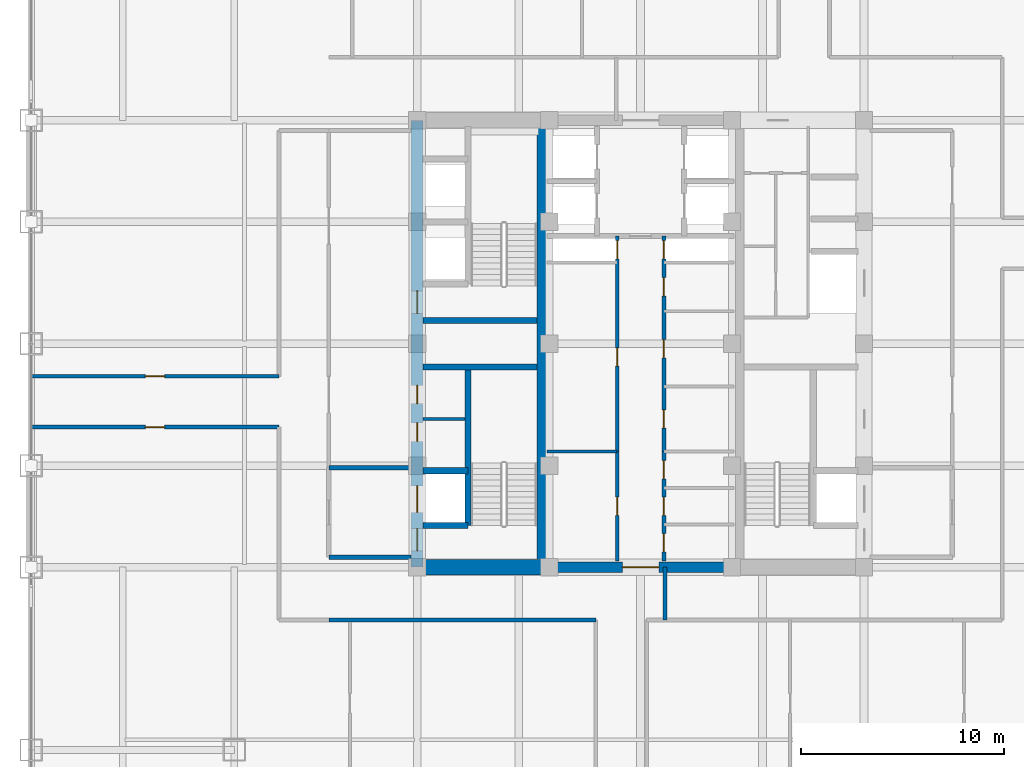
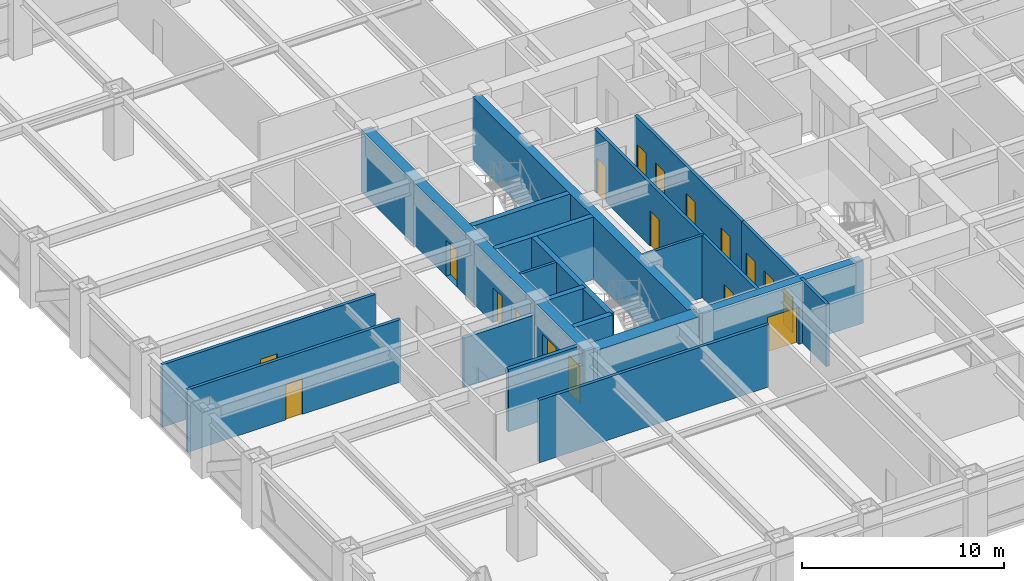
# One storey, part 20 of 28: 21 walls, 18 doors, 18 openings.
"""IFC4 building model written with IfcOpenShell, lengths in metres."""

from ifc_helpers import new_model, si_unit, direction, frame, frame_2d, origin, place, context, subcontext, project, spatial, rectangle, extrude, source, transform, mapped, material, layer, layer_set, type_object, element, fill, save


model = new_model("IFC4")

# Units and contexts
model_context = context("Model", 3, precision=1e-05, world=origin(), true_north=direction((0.0, 1.0)))
body_context = subcontext(model_context, "Body", "Model", "MODEL_VIEW")
ifc_project = project(units=[si_unit("LENGTHUNIT", "METRE"), si_unit("AREAUNIT", "SQUARE_METRE"), si_unit("VOLUMEUNIT", "CUBIC_METRE"), si_unit("PLANEANGLEUNIT", "RADIAN"), si_unit("MASSUNIT", "GRAM", prefix="KILO")], contexts=[model_context])

# Site, building, storey
site_placement = place(None, origin())
site = spatial("IfcSite", under=ifc_project, at=site_placement, CompositionType="ELEMENT")
building_placement = place(site_placement, origin())
building = spatial("IfcBuilding", under=site, at=building_placement, Name="Khorayat Bourse Tower", CompositionType="ELEMENT")
storey_placement = place(building_placement, frame((0.0, 0.0, 187.10009765625)))
storey = spatial("IfcBuildingStorey", under=building, at=storey_placement, Name="L43", CompositionType="ELEMENT", Elevation=187.10009765625)

# Wall, openings, doors
ifc_material_1 = material(Name="Concrete C60/75", Category="concrete")
ifc_layer_1 = layer(ifc_material_1, 0.60009765625)
ifc_layer_set_1 = layer_set([ifc_layer_1], Name="Concrete C60/75")
wall_type_1 = type_object("IfcWallType", Name="WAL-CORE-600", PredefinedType="SHEAR", material=ifc_layer_set_1)
shared_shape_1 = source(origin(), body_context, "Body", "SweptSolid", [
    extrude(rectangle(XDim=22.0, YDim=0.60009765625, at=frame_2d((11.0, 0.0))), origin(), (0.0, 0.0, 1.0), 3.77978515625),
])
wall_1_placement = place(storey_placement, frame((-11.0, -11.0, 0.0), z_axis=(0.0, 0.0, 1.0), x_axis=(0.0, 1.0, 0.0)))
wall_1 = element("IfcWall", 1, at=wall_1_placement, inside=storey, type_object=wall_type_1, Name="L43 Core Shear Wall CORE-W", PredefinedType="SHEAR", context=body_context, shape_type="MappedRepresentation", body=[
    mapped(shared_shape_1, transform((0.0, 0.0, 0.0), scale=1.0)),
])
shared_shape_2 = source(origin(), body_context, "Body", "SweptSolid", [
    extrude(rectangle(XDim=1.10009765625, YDim=2.199951171875, at=frame_2d((0.550048828125, 1.10009765625))), frame((0.0, 0.31005859375, 0.0), z_axis=(0.0, -1.0, 0.0), x_axis=(1.0, 0.0, 0.0)), (0.0, 0.0, 1.0), 0.6201171875),
])
opening_1_placement = place(wall_1_placement, frame((0.800048828125, 0.0, 0.0)))
opening_1 = element("IfcOpeningElement", 2, at=opening_1_placement, cuts=wall_1, Name="Opening DI-01", PredefinedType="OPENING", context=body_context, shape_type="MappedRepresentation", body=[
    mapped(shared_shape_2, transform((0.0, 0.0, 0.0), scale=1.0)),
])
opening_2_placement = place(wall_1_placement, frame((12.5, 0.0, 0.0)))
opening_2 = element("IfcOpeningElement", 3, at=opening_2_placement, cuts=wall_1, Name="Opening DI-01", PredefinedType="OPENING", context=body_context, shape_type="MappedRepresentation", body=[
    mapped(shared_shape_2, transform((0.0, 0.0, 0.0), scale=1.0)),
])
shared_shape_3 = source(origin(), body_context, "Body", "SweptSolid", [
    extrude(rectangle(XDim=0.89990234375, YDim=2.14990234375, at=frame_2d((0.449951171875, 1.074951171875))), frame((0.0, 0.31005859375, 0.0), z_axis=(0.0, -1.0, 0.0), x_axis=(1.0, 0.0, 0.0)), (0.0, 0.0, 1.0), 0.6201171875),
])
opening_3_placement = place(wall_1_placement, frame((6.199951171875, 0.0, 0.0)))
opening_3 = element("IfcOpeningElement", 4, at=opening_3_placement, cuts=wall_1, Name="Opening DI-06", PredefinedType="OPENING", context=body_context, shape_type="MappedRepresentation", body=[
    mapped(shared_shape_3, transform((0.0, 0.0, 0.0), scale=1.0)),
])
opening_4_placement = place(wall_1_placement, frame((8.050048828125, 0.0, 0.0)))
opening_4 = element("IfcOpeningElement", 5, at=opening_4_placement, cuts=wall_1, Name="Opening DI-06", PredefinedType="OPENING", context=body_context, shape_type="MappedRepresentation", body=[
    mapped(shared_shape_3, transform((0.0, 0.0, 0.0), scale=1.0)),
])
shared_shape_4 = source(origin(), body_context, "Body", "SweptSolid", [
    extrude(rectangle(XDim=1.300048828125, YDim=2.300048828125, at=frame_2d((0.64990234375, 1.14990234375))), frame((0.0, 0.31005859375, 0.0), z_axis=(0.0, -1.0, 0.0), x_axis=(1.0, 0.0, 0.0)), (0.0, 0.0, 1.0), 0.6201171875),
])
opening_5_placement = place(wall_1_placement, frame((2.699951171875, 0.0, 0.0)))
opening_5 = element("IfcOpeningElement", 6, at=opening_5_placement, cuts=wall_1, Name="Opening LD-02", PredefinedType="OPENING", context=body_context, shape_type="MappedRepresentation", body=[
    mapped(shared_shape_4, transform((0.0, 0.0, 0.0), scale=1.0)),
])
ifc_material_2 = material(Name="Fire-rated steel acoustic leaf", Category="steel")
door_type_1 = type_object("IfcDoorType", Name="DR-INT-STAIR-1100", OperationType="NOTDEFINED", PredefinedType="DOOR", material=ifc_material_2)
shared_shape_5 = source(origin(), body_context, "Body", "SweptSolid", [
    extrude(rectangle(XDim=1.10009765625, YDim=2.199951171875, at=frame_2d((0.550048828125, 1.10009765625))), frame((0.0, 0.02490234375, 0.0), z_axis=(0.0, -1.0, 0.0), x_axis=(1.0, 0.0, 0.0)), (0.0, 0.0, 1.0), 0.050048828125),
])
door_1_placement = place(opening_1_placement, origin())
door_1 = element("IfcDoor", 7, at=door_1_placement, inside=storey, type_object=door_type_1, Name="L43 Exit Stair 1 Door", OperationType="SINGLE_SWING_RIGHT", OverallHeight=2.199951171875, OverallWidth=1.10009765625, PredefinedType="DOOR", context=body_context, shape_type="MappedRepresentation", body=[
    mapped(shared_shape_5, transform((0.0, 0.0, 0.0), scale=1.0)),
])
fill(opening_1, door_1)
door_2_placement = place(opening_2_placement, origin())
door_2 = element("IfcDoor", 8, at=door_2_placement, inside=storey, type_object=door_type_1, Name="L43 Exit Stair 2 Door", OperationType="SINGLE_SWING_RIGHT", OverallHeight=2.199951171875, OverallWidth=1.10009765625, PredefinedType="DOOR", context=body_context, shape_type="MappedRepresentation", body=[
    mapped(shared_shape_5, transform((0.0, 0.0, 0.0), scale=1.0)),
])
fill(opening_2, door_2)
ifc_material_3 = material(Name="Moisture-resistant laminate washroom door")
door_type_2 = type_object("IfcDoorType", Name="DR-INT-WC-900", OperationType="NOTDEFINED", PredefinedType="DOOR", material=ifc_material_3)
shared_shape_6 = source(origin(), body_context, "Body", "SweptSolid", [
    extrude(rectangle(XDim=0.89990234375, YDim=2.14990234375, at=frame_2d((0.449951171875, 1.074951171875))), frame((0.0, 0.02490234375, 0.0), z_axis=(0.0, -1.0, 0.0), x_axis=(1.0, 0.0, 0.0)), (0.0, 0.0, 1.0), 0.050048828125),
])
door_3_placement = place(opening_3_placement, origin())
door_3 = element("IfcDoor", 9, at=door_3_placement, inside=storey, type_object=door_type_2, Name="L43 Electrical Plant Room Door", OperationType="SINGLE_SWING_RIGHT", OverallHeight=2.14990234375, OverallWidth=0.89990234375, PredefinedType="DOOR", context=body_context, shape_type="MappedRepresentation", body=[
    mapped(shared_shape_6, transform((0.0, 0.0, 0.0), scale=1.0)),
])
fill(opening_3, door_3)
door_4_placement = place(opening_4_placement, origin())
door_4 = element("IfcDoor", 10, at=door_4_placement, inside=storey, type_object=door_type_2, Name="L43 Cleaner Storage Room Door", OperationType="SINGLE_SWING_LEFT", OverallHeight=2.14990234375, OverallWidth=0.89990234375, PredefinedType="DOOR", context=body_context, shape_type="MappedRepresentation", body=[
    mapped(shared_shape_6, transform((0.0, 0.0, 0.0), scale=1.0)),
])
fill(opening_4, door_4)
ifc_material_4 = material(Name="Fire-rated stainless-steel sliding landing door", Category="steel")
door_type_3 = type_object("IfcDoorType", Name="DR-LIFT-FF-1300", OperationType="NOTDEFINED", PredefinedType="DOOR", material=ifc_material_4)
shared_shape_7 = source(origin(), body_context, "Body", "SweptSolid", [
    extrude(rectangle(XDim=1.300048828125, YDim=2.300048828125, at=frame_2d((0.64990234375, 1.14990234375))), frame((0.0, 0.02490234375, 0.0), z_axis=(0.0, -1.0, 0.0), x_axis=(1.0, 0.0, 0.0)), (0.0, 0.0, 1.0), 0.050048828125),
])
door_5_placement = place(opening_5_placement, origin())
door_5 = element("IfcDoor", 11, at=door_5_placement, inside=storey, type_object=door_type_3, Name="L43 Lift FFL-01 Sliding Landing Door", OperationType="SLIDING_TO_LEFT", OverallHeight=2.300048828125, OverallWidth=1.300048828125, PredefinedType="DOOR", context=body_context, shape_type="MappedRepresentation", body=[
    mapped(shared_shape_7, transform((0.0, 0.0, 0.0), scale=1.0)),
])
fill(opening_5, door_5)

# Walls
ifc_material_5 = material(Name="Concrete C52/65", Category="concrete")
ifc_layer_2 = layer(ifc_material_5, 0.5)
ifc_layer_set_2 = layer_set([ifc_layer_2], Name="Concrete C52/65")
wall_type_2 = type_object("IfcWallType", Name="WAL-CORE-500", PredefinedType="SHEAR", material=ifc_layer_set_2)
shared_shape_8 = source(origin(), body_context, "Body", "SweptSolid", [
    extrude(rectangle(XDim=21.39990234375, YDim=0.5, at=frame_2d((10.699951171875, 0.0))), origin(), (0.0, 0.0, 1.0), 3.77978515625),
])
wall_2_placement = place(storey_placement, frame((-4.85009765625, -10.699951171875, 0.0), z_axis=(0.0, 0.0, 1.0), x_axis=(0.0, 1.0, 0.0)))
element("IfcWall", 12, at=wall_2_placement, inside=storey, type_object=wall_type_2, Name="L43 Core Shear Wall PIER-W", PredefinedType="SHEAR", context=body_context, shape_type="MappedRepresentation", body=[
    mapped(shared_shape_8, transform((0.0, 0.0, 0.0), scale=1.0)),
])
ifc_material_6 = material(Name="Concrete C72/90", Category="concrete")
ifc_layer_3 = layer(ifc_material_6, 0.75)
ifc_layer_set_3 = layer_set([ifc_layer_3], Name="Concrete C72/90")
wall_type_3 = type_object("IfcWallType", Name="WAL-CORE-750", PredefinedType="SHEAR", material=ifc_layer_set_3)
shared_shape_9 = source(origin(), body_context, "Body", "SweptSolid", [
    extrude(rectangle(XDim=5.849853515625, YDim=0.75, at=frame_2d((2.9248046875, 0.0))), origin(), (0.0, 0.0, 1.0), 3.77978515625),
])
wall_3_placement = place(storey_placement, frame((-10.699951171875, -11.0, 0.0), z_axis=(0.0, 0.0, 1.0), x_axis=(1.0, 0.0, 0.0)))
element("IfcWall", 13, at=wall_3_placement, inside=storey, type_object=wall_type_3, Name="L43 Core Shear Wall PIER-WS", PredefinedType="SHEAR", context=body_context, shape_type="MappedRepresentation", body=[
    mapped(shared_shape_9, transform((0.0, 0.0, 0.0), scale=1.0)),
])
ifc_material_7 = material(Name="Concrete C50/60", Category="concrete")
ifc_layer_4 = layer(ifc_material_7, 0.300048828125)
ifc_layer_set_4 = layer_set([ifc_layer_4], Name="Concrete C50/60")
wall_type_4 = type_object("IfcWallType", Name="WAL-SHAFT-300", PredefinedType="SHEAR", material=ifc_layer_set_4)
shared_shape_10 = source(origin(), body_context, "Body", "SweptSolid", [
    extrude(rectangle(XDim=5.599853515625, YDim=0.300048828125, at=frame_2d((2.7998046875, 0.0))), origin(), (0.0, 0.0, 1.0), 3.77978515625),
])
for number, where, z_axis, x_axis, name in (
    (14, (-10.699951171875, -1.14990234375, 0.0), (0.0, 0.0, 1.0), (1.0, 0.0, 0.0), "L43 Core Shear Wall ST1-DIV"),
    (15, (-10.699951171875, 1.14990234375, 0.0), (0.0, 0.0, 1.0), (1.0, 0.0, 0.0), "L43 Core Shear Wall ST2-DIV"),
):
    element("IfcWall", number, at=place(storey_placement, frame(where, z_axis=z_axis, x_axis=x_axis)), inside=storey, type_object=wall_type_4, Name=name, PredefinedType="SHEAR", context=body_context, shape_type="MappedRepresentation", body=[
        mapped(shared_shape_10, transform((0.0, 0.0, 0.0), scale=1.0)),
    ])

# Wall, opening, door
shared_shape_11 = source(origin(), body_context, "Body", "SweptSolid", [
    extrude(rectangle(XDim=9.2001953125, YDim=0.5, at=frame_2d((4.60009765625, 0.0))), origin(), (0.0, 0.0, 1.0), 3.77978515625),
])
wall_4_placement = place(storey_placement, frame((-4.60009765625, -11.0, 0.0), z_axis=(0.0, 0.0, 1.0), x_axis=(1.0, 0.0, 0.0)))
wall_4 = element("IfcWall", 16, at=wall_4_placement, inside=storey, type_object=wall_type_2, Name="L43 Core Shear Wall CORE-S", PredefinedType="SHEAR", context=body_context, shape_type="MappedRepresentation", body=[
    mapped(shared_shape_11, transform((0.0, 0.0, 0.0), scale=1.0)),
])
shared_shape_12 = source(origin(), body_context, "Body", "SweptSolid", [
    extrude(rectangle(XDim=1.800048828125, YDim=2.25, at=frame_2d((0.89990234375, 1.125))), frame((0.0, 0.260009765625, 0.0), z_axis=(0.0, -1.0, 0.0), x_axis=(1.0, 0.0, 0.0)), (0.0, 0.0, 1.0), 0.52001953125),
])
opening_6_placement = place(wall_4_placement, frame((3.699951171875, 0.0, 0.0)))
opening_6 = element("IfcOpeningElement", 17, at=opening_6_placement, cuts=wall_4, Name="Opening DI-03", PredefinedType="OPENING", context=body_context, shape_type="MappedRepresentation", body=[
    mapped(shared_shape_12, transform((0.0, 0.0, 0.0), scale=1.0)),
])
ifc_material_8 = material(Name="Fire-rated hardwood vision-panel double leaf", Category="wood")
door_type_4 = type_object("IfcDoorType", Name="DR-INT-CORR-1800", OperationType="NOTDEFINED", PredefinedType="DOOR", material=ifc_material_8)
shared_shape_13 = source(origin(), body_context, "Body", "SweptSolid", [
    extrude(rectangle(XDim=1.800048828125, YDim=2.25, at=frame_2d((0.89990234375, 1.125))), frame((0.0, 0.02490234375, 0.0), z_axis=(0.0, -1.0, 0.0), x_axis=(1.0, 0.0, 0.0)), (0.0, 0.0, 1.0), 0.050048828125),
])
door_6_placement = place(opening_6_placement, origin())
door_6 = element("IfcDoor", 18, at=door_6_placement, inside=storey, type_object=door_type_4, Name="L43 Central Core South Passage Door", OperationType="SINGLE_SWING_LEFT", OverallHeight=2.25, OverallWidth=1.800048828125, PredefinedType="DOOR", context=body_context, shape_type="MappedRepresentation", body=[
    mapped(shared_shape_13, transform((0.0, 0.0, 0.0), scale=1.0)),
])
fill(opening_6, door_6)

# Walls
shared_shape_14 = source(origin(), body_context, "Body", "SweptSolid", [
    extrude(rectangle(XDim=7.800048828125, YDim=0.300048828125, at=frame_2d((3.89990234375, 0.0))), origin(), (0.0, 0.0, 1.0), 3.77978515625),
])
wall_5_placement = place(storey_placement, frame((-8.5, -8.949951171875, 0.0), z_axis=(0.0, 0.0, 1.0), x_axis=(0.0, 1.0, 0.0)))
element("IfcWall", 19, at=wall_5_placement, inside=storey, type_object=wall_type_4, Name="L43 Partition WAL-L43-WPIER-SP", PredefinedType="SHEAR", context=body_context, shape_type="MappedRepresentation", body=[
    mapped(shared_shape_14, transform((0.0, 0.0, 0.0), scale=1.0)),
])
shared_shape_15 = source(origin(), body_context, "Body", "SweptSolid", [
    extrude(rectangle(XDim=2.199951171875, YDim=0.300048828125, at=frame_2d((1.10009765625, 0.0))), origin(), (0.0, 0.0, 1.0), 3.77978515625),
])
for number, where, z_axis, x_axis, name in (
    (20, (-10.699951171875, -8.949951171875, 0.0), (0.0, 0.0, 1.0), (1.0, 0.0, 0.0), "L43 Partition WAL-L43-WPIER-FF1S"),
    (21, (-10.699951171875, -6.25, 0.0), (0.0, 0.0, 1.0), (1.0, 0.0, 0.0), "L43 Partition WAL-L43-WPIER-FF1N"),
):
    element("IfcWall", number, at=place(storey_placement, frame(where, z_axis=z_axis, x_axis=x_axis)), inside=storey, type_object=wall_type_4, Name=name, PredefinedType="SHEAR", context=body_context, shape_type="MappedRepresentation", body=[
        mapped(shared_shape_15, transform((0.0, 0.0, 0.0), scale=1.0)),
    ])
ifc_material_9 = material(Name="Gypsum plasterboard twin-frame partition")
ifc_layer_5 = layer(ifc_material_9, 0.14990234375)
ifc_layer_set_5 = layer_set([ifc_layer_5], Name="Gypsum plasterboard twin-frame partition")
wall_type_5 = type_object("IfcWallType", Name="WAL-PART-SUITE-150", PredefinedType="PARTITIONING", material=ifc_layer_set_5)
shared_shape_16 = source(origin(), body_context, "Body", "SweptSolid", [
    extrude(rectangle(XDim=2.050048828125, YDim=0.14990234375, at=frame_2d((1.02490234375, 0.0))), origin(), (0.0, 0.0, 1.0), 3.77978515625),
])
wall_6_placement = place(storey_placement, frame((-10.699951171875, -3.699951171875, 0.0), z_axis=(0.0, 0.0, 1.0), x_axis=(1.0, 0.0, 0.0)))
element("IfcWall", 22, at=wall_6_placement, inside=storey, type_object=wall_type_5, Name="L43 Partition WAL-L43-WSRV-D1", PredefinedType="PARTITIONING", context=body_context, shape_type="MappedRepresentation", body=[
    mapped(shared_shape_16, transform((0.0, 0.0, 0.0), scale=1.0)),
])
ifc_material_10 = material(Name="Aerated concrete blockwork", Category="masonry")
ifc_layer_6 = layer(ifc_material_10, 0.219970703125)
ifc_layer_set_6 = layer_set([ifc_layer_6], Name="Aerated concrete blockwork")
wall_type_6 = type_object("IfcWallType", Name="WAL-PART-FF-220", PredefinedType="PARTITIONING", material=ifc_layer_set_6)
shared_shape_17 = source(origin(), body_context, "Body", "SweptSolid", [
    extrude(rectangle(XDim=4.050048828125, YDim=0.219970703125, at=frame_2d((2.02490234375, 0.0))), origin(), (0.0, 0.0, 1.0), 3.77978515625),
])
wall_7_placement = place(storey_placement, frame((-15.35009765625, -10.5, 0.0), z_axis=(0.0, 0.0, 1.0), x_axis=(1.0, 0.0, 0.0)))
element("IfcWall", 23, at=wall_7_placement, inside=storey, type_object=wall_type_6, Name="L43 Partition WAL-L43-FFLW-S", PredefinedType="PARTITIONING", context=body_context, shape_type="MappedRepresentation", body=[
    mapped(shared_shape_17, transform((0.0, 0.0, 0.0), scale=1.0)),
])
shared_shape_18 = source(origin(), body_context, "Body", "SweptSolid", [
    extrude(rectangle(XDim=4.050048828125, YDim=0.219970703125, at=frame_2d((2.02490234375, 0.0))), origin(), (0.0, 0.0, 1.0), 3.0068359375),
])
wall_8_placement = place(storey_placement, frame((-15.35009765625, -6.10009765625, 0.0), z_axis=(0.0, 0.0, 1.0), x_axis=(1.0, 0.0, 0.0)))
element("IfcWall", 24, at=wall_8_placement, inside=storey, type_object=wall_type_6, Name="L43 Partition WAL-L43-FFLW-N", PredefinedType="PARTITIONING", context=body_context, shape_type="MappedRepresentation", body=[
    mapped(shared_shape_18, transform((0.0, 0.0, 0.0), scale=1.0)),
])
shared_shape_19 = source(origin(), body_context, "Body", "SweptSolid", [
    extrude(rectangle(XDim=3.4501953125, YDim=0.14990234375, at=frame_2d((1.72509765625, 0.0))), origin(), (0.0, 0.0, 1.0), 3.77978515625),
])
wall_9_placement = place(storey_placement, frame((-4.60009765625, -5.300048828125, 0.0), z_axis=(0.0, 0.0, 1.0), x_axis=(1.0, 0.0, 0.0)))
element("IfcWall", 25, at=wall_9_placement, inside=storey, type_object=wall_type_5, Name="L43 Partition WAL-L43-FB1-NW", PredefinedType="PARTITIONING", context=body_context, shape_type="MappedRepresentation", body=[
    mapped(shared_shape_19, transform((0.0, 0.0, 0.0), scale=1.0)),
])

# Wall, opening, door
ifc_material_11 = material(Name="Gypsum plasterboard acoustic stud wall")
ifc_layer_7 = layer(ifc_material_11, 0.179931640625)
ifc_layer_set_7 = layer_set([ifc_layer_7], Name="Gypsum plasterboard acoustic stud wall")
wall_type_7 = type_object("IfcWallType", Name="WAL-PART-CORR-180", PredefinedType="PARTITIONING", material=ifc_layer_set_7)
shared_shape_20 = source(origin(), body_context, "Body", "SweptSolid", [
    extrude(rectangle(XDim=5.39990234375, YDim=0.179931640625, at=frame_2d((2.699951171875, 0.0))), origin(), (0.0, 0.0, 1.0), 3.77978515625),
])
wall_10_placement = place(storey_placement, frame((-1.14990234375, -10.699951171875, 0.0), z_axis=(0.0, 0.0, 1.0), x_axis=(0.0, 1.0, 0.0)))
wall_10 = element("IfcWall", 26, at=wall_10_placement, inside=storey, type_object=wall_type_7, Name="L43 Partition WAL-L43-FB1W-L", PredefinedType="PARTITIONING", context=body_context, shape_type="MappedRepresentation", body=[
    mapped(shared_shape_20, transform((0.0, 0.0, 0.0), scale=1.0)),
])
shared_shape_21 = source(origin(), body_context, "Body", "SweptSolid", [
    extrude(rectangle(XDim=0.89990234375, YDim=2.14990234375, at=frame_2d((0.449951171875, 1.074951171875))), frame((0.0, 0.099853515625, 0.0), z_axis=(0.0, -1.0, 0.0), x_axis=(1.0, 0.0, 0.0)), (0.0, 0.0, 1.0), 0.199951171875),
])
opening_7_placement = place(wall_10_placement, frame((2.25, 0.0, 0.0)))
opening_7 = element("IfcOpeningElement", 27, at=opening_7_placement, cuts=wall_10, Name="Opening DI-06", PredefinedType="OPENING", context=body_context, shape_type="MappedRepresentation", body=[
    mapped(shared_shape_21, transform((0.0, 0.0, 0.0), scale=1.0)),
])
door_7_placement = place(opening_7_placement, origin())
door_7 = element("IfcDoor", 28, at=door_7_placement, inside=storey, type_object=door_type_2, Name="L43 IT Comms Server Plant Room Door", OperationType="SINGLE_SWING_RIGHT", OverallHeight=2.14990234375, OverallWidth=0.89990234375, PredefinedType="DOOR", context=body_context, shape_type="MappedRepresentation", body=[
    mapped(shared_shape_6, transform((0.0, 0.0, 0.0), scale=1.0)),
])
fill(opening_7, door_7)

# Wall, openings, doors
wall_11_placement = place(storey_placement, frame((1.14990234375, -10.699951171875, 0.0), z_axis=(0.0, 0.0, 1.0), x_axis=(0.0, 1.0, 0.0)))
wall_11 = element("IfcWall", 29, at=wall_11_placement, inside=storey, type_object=wall_type_7, Name="L43 Partition WAL-L43-FB1E-L", PredefinedType="PARTITIONING", context=body_context, shape_type="MappedRepresentation", body=[
    mapped(shared_shape_20, transform((0.0, 0.0, 0.0), scale=1.0)),
])
opening_8_placement = place(wall_11_placement, frame((0.449951171875, 0.0, 0.0)))
opening_8 = element("IfcOpeningElement", 30, at=opening_8_placement, cuts=wall_11, Name="Opening DI-06", PredefinedType="OPENING", context=body_context, shape_type="MappedRepresentation", body=[
    mapped(shared_shape_21, transform((0.0, 0.0, 0.0), scale=1.0)),
])
opening_9_placement = place(wall_11_placement, frame((2.25, 0.0, 0.0)))
opening_9 = element("IfcOpeningElement", 31, at=opening_9_placement, cuts=wall_11, Name="Opening DI-06", PredefinedType="OPENING", context=body_context, shape_type="MappedRepresentation", body=[
    mapped(shared_shape_21, transform((0.0, 0.0, 0.0), scale=1.0)),
])
opening_10_placement = place(wall_11_placement, frame((4.050048828125, 0.0, 0.0)))
opening_10 = element("IfcOpeningElement", 32, at=opening_10_placement, cuts=wall_11, Name="Opening DI-06", PredefinedType="OPENING", context=body_context, shape_type="MappedRepresentation", body=[
    mapped(shared_shape_21, transform((0.0, 0.0, 0.0), scale=1.0)),
])
door_8_placement = place(opening_8_placement, origin())
door_8 = element("IfcDoor", 33, at=door_8_placement, inside=storey, type_object=door_type_2, Name="L43 Stationery Store Door", OperationType="SINGLE_SWING_RIGHT", OverallHeight=2.14990234375, OverallWidth=0.89990234375, PredefinedType="DOOR", context=body_context, shape_type="MappedRepresentation", body=[
    mapped(shared_shape_6, transform((0.0, 0.0, 0.0), scale=1.0)),
])
fill(opening_8, door_8)
door_9_placement = place(opening_9_placement, origin())
door_9 = element("IfcDoor", 34, at=door_9_placement, inside=storey, type_object=door_type_2, Name="L43 Meter Closet Door", OperationType="SINGLE_SWING_LEFT", OverallHeight=2.14990234375, OverallWidth=0.89990234375, PredefinedType="DOOR", context=body_context, shape_type="MappedRepresentation", body=[
    mapped(shared_shape_6, transform((0.0, 0.0, 0.0), scale=1.0)),
])
fill(opening_9, door_9)
door_10_placement = place(opening_10_placement, origin())
door_10 = element("IfcDoor", 35, at=door_10_placement, inside=storey, type_object=door_type_2, Name="L43 Print Room Door", OperationType="SINGLE_SWING_RIGHT", OverallHeight=2.14990234375, OverallWidth=0.89990234375, PredefinedType="DOOR", context=body_context, shape_type="MappedRepresentation", body=[
    mapped(shared_shape_6, transform((0.0, 0.0, 0.0), scale=1.0)),
])
fill(opening_10, door_10)

shared_shape_22 = source(origin(), body_context, "Body", "SweptSolid", [
    extrude(rectangle(XDim=10.60009765625, YDim=0.179931640625, at=frame_2d((5.300048828125, 0.0))), origin(), (0.0, 0.0, 1.0), 3.77978515625),
])
wall_12_placement = place(storey_placement, frame((-1.14990234375, -5.300048828125, 0.0), z_axis=(0.0, 0.0, 1.0), x_axis=(0.0, 1.0, 0.0)))
wall_12 = element("IfcWall", 36, at=wall_12_placement, inside=storey, type_object=wall_type_7, Name="L43 Partition WAL-L43-CMW-L", PredefinedType="PARTITIONING", context=body_context, shape_type="MappedRepresentation", body=[
    mapped(shared_shape_22, transform((0.0, 0.0, 0.0), scale=1.0)),
])
opening_11_placement = place(wall_12_placement, frame((4.199951171875, 0.0, 0.0)))
opening_11 = element("IfcOpeningElement", 37, at=opening_11_placement, cuts=wall_12, Name="Opening DI-06", PredefinedType="OPENING", context=body_context, shape_type="MappedRepresentation", body=[
    mapped(shared_shape_21, transform((0.0, 0.0, 0.0), scale=1.0)),
])
opening_12_placement = place(wall_12_placement, frame((9.47509765625, 0.0, 0.0)))
opening_12 = element("IfcOpeningElement", 38, at=opening_12_placement, cuts=wall_12, Name="Opening DI-06", PredefinedType="OPENING", context=body_context, shape_type="MappedRepresentation", body=[
    mapped(shared_shape_21, transform((0.0, 0.0, 0.0), scale=1.0)),
])
door_11_placement = place(opening_11_placement, origin())
door_11 = element("IfcDoor", 39, at=door_11_placement, inside=storey, type_object=door_type_2, Name="L43 Male Core Washroom Door", OperationType="SINGLE_SWING_RIGHT", OverallHeight=2.14990234375, OverallWidth=0.89990234375, PredefinedType="DOOR", context=body_context, shape_type="MappedRepresentation", body=[
    mapped(shared_shape_6, transform((0.0, 0.0, 0.0), scale=1.0)),
])
fill(opening_11, door_11)
door_12_placement = place(opening_12_placement, origin())
door_12 = element("IfcDoor", 40, at=door_12_placement, inside=storey, type_object=door_type_2, Name="L43 West Core Riser Door", OperationType="SINGLE_SWING_LEFT", OverallHeight=2.14990234375, OverallWidth=0.89990234375, PredefinedType="DOOR", context=body_context, shape_type="MappedRepresentation", body=[
    mapped(shared_shape_6, transform((0.0, 0.0, 0.0), scale=1.0)),
])
fill(opening_12, door_12)

wall_13_placement = place(storey_placement, frame((1.14990234375, -5.300048828125, 0.0), z_axis=(0.0, 0.0, 1.0), x_axis=(0.0, 1.0, 0.0)))
wall_13 = element("IfcWall", 41, at=wall_13_placement, inside=storey, type_object=wall_type_7, Name="L43 Partition WAL-L43-CME-L", PredefinedType="PARTITIONING", context=body_context, shape_type="MappedRepresentation", body=[
    mapped(shared_shape_22, transform((0.0, 0.0, 0.0), scale=1.0)),
])
opening_13_placement = place(wall_13_placement, frame((1.14990234375, 0.0, 0.0)))
opening_13 = element("IfcOpeningElement", 42, at=opening_13_placement, cuts=wall_13, Name="Opening DI-06", PredefinedType="OPENING", context=body_context, shape_type="MappedRepresentation", body=[
    mapped(shared_shape_21, transform((0.0, 0.0, 0.0), scale=1.0)),
])
opening_14_placement = place(wall_13_placement, frame((4.60009765625, 0.0, 0.0)))
opening_14 = element("IfcOpeningElement", 43, at=opening_14_placement, cuts=wall_13, Name="Opening DI-06", PredefinedType="OPENING", context=body_context, shape_type="MappedRepresentation", body=[
    mapped(shared_shape_21, transform((0.0, 0.0, 0.0), scale=1.0)),
])
opening_15_placement = place(wall_13_placement, frame((7.64990234375, 0.0, 0.0)))
opening_15 = element("IfcOpeningElement", 44, at=opening_15_placement, cuts=wall_13, Name="Opening DI-06", PredefinedType="OPENING", context=body_context, shape_type="MappedRepresentation", body=[
    mapped(shared_shape_21, transform((0.0, 0.0, 0.0), scale=1.0)),
])
opening_16_placement = place(wall_13_placement, frame((9.47509765625, 0.0, 0.0)))
opening_16 = element("IfcOpeningElement", 45, at=opening_16_placement, cuts=wall_13, Name="Opening DI-06", PredefinedType="OPENING", context=body_context, shape_type="MappedRepresentation", body=[
    mapped(shared_shape_21, transform((0.0, 0.0, 0.0), scale=1.0)),
])
door_13_placement = place(opening_13_placement, origin())
door_13 = element("IfcDoor", 46, at=door_13_placement, inside=storey, type_object=door_type_2, Name="L43 Female Core Washroom Door", OperationType="SINGLE_SWING_RIGHT", OverallHeight=2.14990234375, OverallWidth=0.89990234375, PredefinedType="DOOR", context=body_context, shape_type="MappedRepresentation", body=[
    mapped(shared_shape_6, transform((0.0, 0.0, 0.0), scale=1.0)),
])
fill(opening_13, door_13)
door_14_placement = place(opening_14_placement, origin())
door_14 = element("IfcDoor", 47, at=door_14_placement, inside=storey, type_object=door_type_2, Name="L43 Cleaners Store Door", OperationType="SINGLE_SWING_LEFT", OverallHeight=2.14990234375, OverallWidth=0.89990234375, PredefinedType="DOOR", context=body_context, shape_type="MappedRepresentation", body=[
    mapped(shared_shape_6, transform((0.0, 0.0, 0.0), scale=1.0)),
])
fill(opening_14, door_14)
door_15_placement = place(opening_15_placement, origin())
door_15 = element("IfcDoor", 48, at=door_15_placement, inside=storey, type_object=door_type_2, Name="L43 Meter and BMS Plant Room Door", OperationType="SINGLE_SWING_RIGHT", OverallHeight=2.14990234375, OverallWidth=0.89990234375, PredefinedType="DOOR", context=body_context, shape_type="MappedRepresentation", body=[
    mapped(shared_shape_6, transform((0.0, 0.0, 0.0), scale=1.0)),
])
fill(opening_15, door_15)
door_16_placement = place(opening_16_placement, origin())
door_16 = element("IfcDoor", 49, at=door_16_placement, inside=storey, type_object=door_type_2, Name="L43 East Core Riser Door", OperationType="SINGLE_SWING_RIGHT", OverallHeight=2.14990234375, OverallWidth=0.89990234375, PredefinedType="DOOR", context=body_context, shape_type="MappedRepresentation", body=[
    mapped(shared_shape_6, transform((0.0, 0.0, 0.0), scale=1.0)),
])
fill(opening_16, door_16)

# Wall, opening, door
shared_shape_23 = source(origin(), body_context, "Body", "SweptSolid", [
    extrude(rectangle(XDim=12.199951171875, YDim=0.179931640625, at=frame_2d((6.10009765625, 0.0))), origin(), (0.0, 0.0, 1.0), 3.77978515625),
])
wall_14_placement = place(storey_placement, frame((-30.0, -4.10009765625, 0.0), z_axis=(0.0, 0.0, 1.0), x_axis=(1.0, 0.0, 0.0)))
wall_14 = element("IfcWall", 50, at=wall_14_placement, inside=storey, type_object=wall_type_7, Name="L43 Partition WAL-L43-WS-SPK", PredefinedType="PARTITIONING", context=body_context, shape_type="MappedRepresentation", body=[
    mapped(shared_shape_23, transform((0.0, 0.0, 0.0), scale=1.0)),
])
shared_shape_24 = source(origin(), body_context, "Body", "SweptSolid", [
    extrude(rectangle(XDim=0.949951171875, YDim=2.14990234375, at=frame_2d((0.47509765625, 1.074951171875))), frame((0.0, 0.099853515625, 0.0), z_axis=(0.0, -1.0, 0.0), x_axis=(1.0, 0.0, 0.0)), (0.0, 0.0, 1.0), 0.199951171875),
])
opening_17_placement = place(wall_14_placement, frame((5.625, 0.0, 0.0)))
opening_17 = element("IfcOpeningElement", 51, at=opening_17_placement, cuts=wall_14, Name="Opening DI-05", PredefinedType="OPENING", context=body_context, shape_type="MappedRepresentation", body=[
    mapped(shared_shape_24, transform((0.0, 0.0, 0.0), scale=1.0)),
])
ifc_material_12 = material(Name="Acoustic oak veneer office door")
door_type_5 = type_object("IfcDoorType", Name="DR-INT-OFFICE-950", OperationType="NOTDEFINED", PredefinedType="DOOR", material=ifc_material_12)
shared_shape_25 = source(origin(), body_context, "Body", "SweptSolid", [
    extrude(rectangle(XDim=0.949951171875, YDim=2.14990234375, at=frame_2d((0.47509765625, 1.074951171875))), frame((0.0, 0.02490234375, 0.0), z_axis=(0.0, -1.0, 0.0), x_axis=(1.0, 0.0, 0.0)), (0.0, 0.0, 1.0), 0.050048828125),
])
door_17_placement = place(opening_17_placement, origin())
door_17 = element("IfcDoor", 52, at=door_17_placement, inside=storey, type_object=door_type_5, Name="L43 Brokerage Member Kiosk WS Door", OperationType="SINGLE_SWING_LEFT", OverallHeight=2.14990234375, OverallWidth=0.949951171875, PredefinedType="DOOR", context=body_context, shape_type="MappedRepresentation", body=[
    mapped(shared_shape_25, transform((0.0, 0.0, 0.0), scale=1.0)),
])
fill(opening_17, door_17)

wall_15_placement = place(storey_placement, frame((-30.0, -1.60009765625, 0.0), z_axis=(0.0, 0.0, 1.0), x_axis=(1.0, 0.0, 0.0)))
wall_15 = element("IfcWall", 53, at=wall_15_placement, inside=storey, type_object=wall_type_7, Name="L43 Partition WAL-L43-WN-SPK", PredefinedType="PARTITIONING", context=body_context, shape_type="MappedRepresentation", body=[
    mapped(shared_shape_23, transform((0.0, 0.0, 0.0), scale=1.0)),
])
opening_18_placement = place(wall_15_placement, frame((5.625, 0.0, 0.0)))
opening_18 = element("IfcOpeningElement", 54, at=opening_18_placement, cuts=wall_15, Name="Opening DI-05", PredefinedType="OPENING", context=body_context, shape_type="MappedRepresentation", body=[
    mapped(shared_shape_24, transform((0.0, 0.0, 0.0), scale=1.0)),
])
door_18_placement = place(opening_18_placement, origin())
door_18 = element("IfcDoor", 55, at=door_18_placement, inside=storey, type_object=door_type_5, Name="L43 Floor Reception Concierge WN Door", OperationType="SINGLE_SWING_LEFT", OverallHeight=2.14990234375, OverallWidth=0.949951171875, PredefinedType="DOOR", context=body_context, shape_type="MappedRepresentation", body=[
    mapped(shared_shape_25, transform((0.0, 0.0, 0.0), scale=1.0)),
])
fill(opening_18, door_18)

# Walls
shared_shape_26 = source(origin(), body_context, "Body", "SweptSolid", [
    extrude(rectangle(XDim=2.60009765625, YDim=0.179931640625, at=frame_2d((1.300048828125, 0.0))), origin(), (0.0, 0.0, 1.0), 3.77978515625),
])
wall_16_placement = place(storey_placement, frame((1.199951171875, -13.60009765625, 0.0), z_axis=(0.0, 0.0, 1.0), x_axis=(0.0, 1.0, 0.0)))
element("IfcWall", 56, at=wall_16_placement, inside=storey, type_object=wall_type_7, Name="L43 Partition WAL-L43-C2-SCE", PredefinedType="PARTITIONING", context=body_context, shape_type="MappedRepresentation", body=[
    mapped(shared_shape_26, transform((0.0, 0.0, 0.0), scale=1.0)),
])
shared_shape_27 = source(origin(), body_context, "Body", "SweptSolid", [
    extrude(rectangle(XDim=13.150146484375, YDim=0.179931640625, at=frame_2d((6.5751953125, 0.0))), origin(), (0.0, 0.0, 1.0), 3.77978515625),
])
wall_17_placement = place(storey_placement, frame((-15.35009765625, -13.60009765625, 0.0), z_axis=(0.0, 0.0, 1.0), x_axis=(1.0, 0.0, 0.0)))
element("IfcWall", 57, at=wall_17_placement, inside=storey, type_object=wall_type_7, Name="L43 Partition WAL-L43-QSW-HC", PredefinedType="PARTITIONING", context=body_context, shape_type="MappedRepresentation", body=[
    mapped(shared_shape_27, transform((0.0, 0.0, 0.0), scale=1.0)),
])

save(model, "model.ifc")
